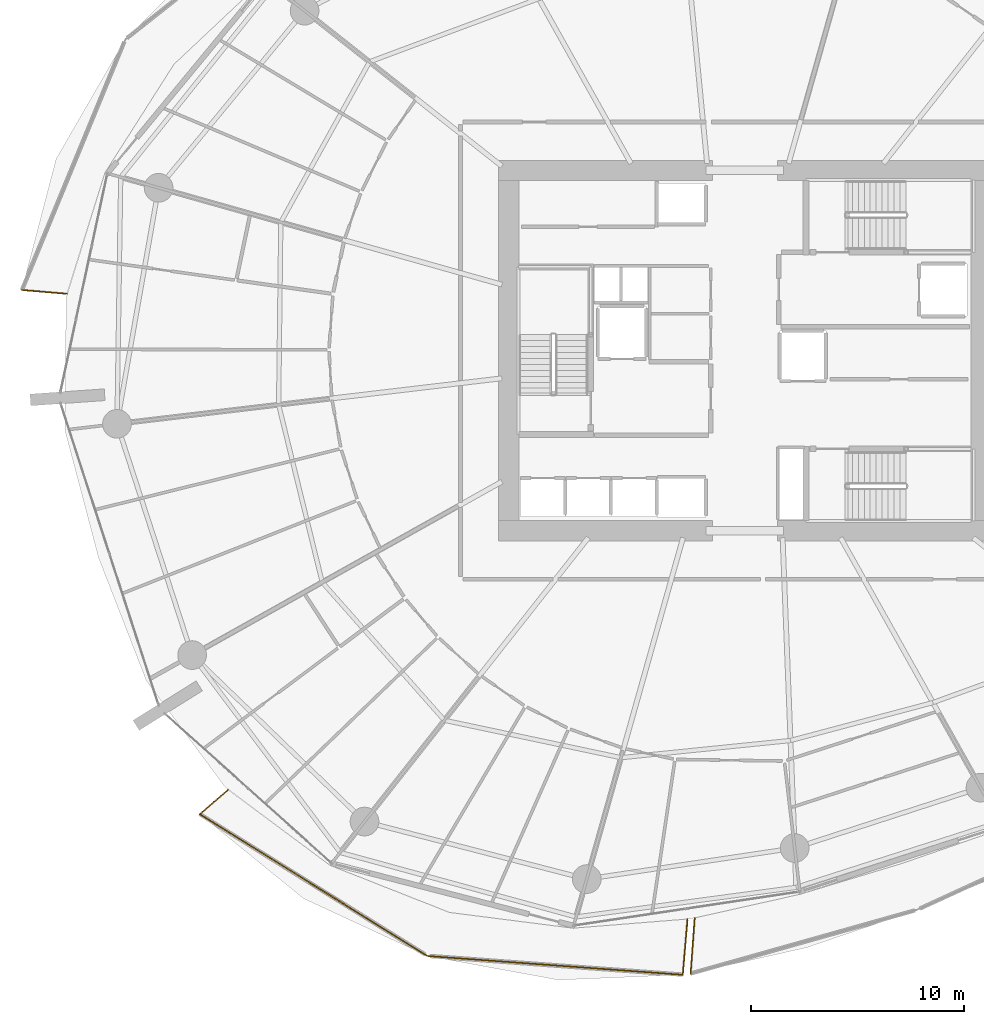
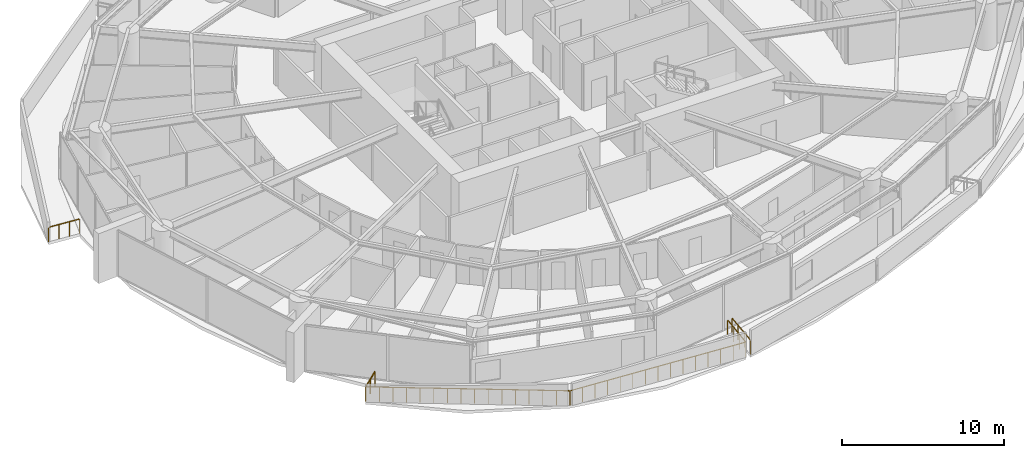
# One storey, part 25 of 31: 6 railings.
"""IFC4 building model written with IfcOpenShell, lengths in metres."""

from ifc_helpers import new_model, si_unit, direction, frame, origin, origin_2d, place, context, subcontext, project, spatial, rectangle, extrude, material, type_object, element, save


model = new_model("IFC4")

# Units and contexts
model_context = context("Model", 3, precision=1e-05, world=origin(), true_north=direction((0.0, 1.0)))
body_context = subcontext(model_context, "Body", "Model", "MODEL_VIEW")
ifc_project = project(units=[si_unit("LENGTHUNIT", "METRE"), si_unit("AREAUNIT", "SQUARE_METRE"), si_unit("VOLUMEUNIT", "CUBIC_METRE"), si_unit("PLANEANGLEUNIT", "RADIAN"), si_unit("MASSUNIT", "GRAM", prefix="KILO")], contexts=[model_context])

# Site, building, storey
site_placement = place(None, origin())
site = spatial("IfcSite", under=ifc_project, at=site_placement, CompositionType="ELEMENT")
building_placement = place(site_placement, origin())
building = spatial("IfcBuilding", under=site, at=building_placement, Name="Kazma Halo Residences", CompositionType="ELEMENT")
storey_placement = place(building_placement, frame((0.0, 0.0, 48.89990234375)))
storey = spatial("IfcBuildingStorey", under=building, at=storey_placement, Name="L11", CompositionType="ELEMENT", Elevation=48.89990234375)

# Railings
ifc_material = material(Name="Aluminium AW-6063 T6 Brushed Cap Rail", Category="aluminium")
railing_type = type_object("IfcRailingType", Name="RLG-BAL-CAP-1120", PredefinedType="BALUSTRADE", material=ifc_material)
railing_1_placement = place(storey_placement, frame((14.425537109375, 44.848876953125, 0.0)))
element("IfcRailing", 1, at=railing_1_placement, inside=storey, type_object=railing_type, Name="L11 NW wave balcony guard 4", PredefinedType="BALUSTRADE", context=body_context, shape_type="SweptSolid", body=[
    extrude(rectangle(XDim=0.050048828125, YDim=0.050048828125, at=origin_2d()), frame((0.04248046875, -0.003662109375, 1.09521484375), z_axis=(0.99642062311, -0.084533672819, 0.0), x_axis=(0.084533672819, 0.99642062311, 0.0)), (0.0, 0.0, 1.0), 2.04638671875),
    extrude(rectangle(XDim=0.0400390625, YDim=0.0400390625, at=origin_2d()), origin(), (0.0, 0.0, 1.0), 1.05810546875),
    extrude(rectangle(XDim=0.0400390625, YDim=0.0400390625, at=origin_2d()), frame((0.7080078125, -0.06005859375, 0.0)), (0.0, 0.0, 1.0), 1.05810546875),
    extrude(rectangle(XDim=0.0400390625, YDim=0.0400390625, at=origin_2d()), frame((1.415771484375, -0.1201171875, 0.0)), (0.0, 0.0, 1.0), 1.05810546875),
    extrude(rectangle(XDim=0.0400390625, YDim=0.0400390625, at=origin_2d()), frame((2.123779296875, -0.18017578125, 0.0)), (0.0, 0.0, 1.0), 1.05810546875),
])
railing_2_placement = place(storey_placement, frame((24.124267578125, 21.354736328125, 0.0)))
element("IfcRailing", 2, at=railing_2_placement, inside=storey, type_object=railing_type, Name="L11 SW wave balcony guard 1", PredefinedType="BALUSTRADE", context=body_context, shape_type="SweptSolid", body=[
    extrude(rectangle(XDim=0.050048828125, YDim=0.050048828125, at=origin_2d()), frame((-0.0322265625, -0.02783203125, 1.09521484375), z_axis=(-0.756352047657, -0.654164795755, 0.0), x_axis=(0.654164795755, -0.756352047657, 0.0)), (0.0, 0.0, 1.0), 1.67578125),
    extrude(rectangle(XDim=0.0400390625, YDim=0.0400390625, at=origin_2d()), origin(), (0.0, 0.0, 1.0), 1.05810546875),
    extrude(rectangle(XDim=0.0400390625, YDim=0.0400390625, at=origin_2d()), frame((-0.666015625, -0.575927734375, 0.0)), (0.0, 0.0, 1.0), 1.05810546875),
    extrude(rectangle(XDim=0.0400390625, YDim=0.0400390625, at=origin_2d()), frame((-1.331787109375, -1.15185546875, 0.0)), (0.0, 0.0, 1.0), 1.05810546875),
])
railing_3_placement = place(storey_placement, frame((22.79248046875, 20.202880859375, 0.0)))
element("IfcRailing", 3, at=railing_3_placement, inside=storey, type_object=railing_type, Name="L11 SW wave balcony guard 2", PredefinedType="BALUSTRADE", context=body_context, shape_type="SweptSolid", body=[
    extrude(rectangle(XDim=0.050048828125, YDim=0.050048828125, at=origin_2d()), frame((0.0361328125, -0.0224609375, 1.09521484375), z_axis=(0.848702312015, -0.528870859077, 0.0), x_axis=(0.528870859077, 0.848702312015, 0.0)), (0.0, 0.0, 1.0), 12.526123046875),
    extrude(rectangle(XDim=0.0400390625, YDim=0.0400390625, at=origin_2d()), origin(), (0.0, 0.0, 1.0), 1.05810546875),
    extrude(rectangle(XDim=0.0400390625, YDim=0.0400390625, at=origin_2d()), frame((0.713623046875, -0.444580078125, 0.0)), (0.0, 0.0, 1.0), 1.05810546875),
    extrude(rectangle(XDim=0.0400390625, YDim=0.0400390625, at=origin_2d()), frame((1.427001953125, -0.889404296875, 0.0)), (0.0, 0.0, 1.0), 1.05810546875),
    extrude(rectangle(XDim=0.0400390625, YDim=0.0400390625, at=origin_2d()), frame((2.140625, -1.333984375, 0.0)), (0.0, 0.0, 1.0), 1.05810546875),
    extrude(rectangle(XDim=0.0400390625, YDim=0.0400390625, at=origin_2d()), frame((2.854248046875, -1.778564453125, 0.0)), (0.0, 0.0, 1.0), 1.05810546875),
    extrude(rectangle(XDim=0.0400390625, YDim=0.0400390625, at=origin_2d()), frame((3.567626953125, -2.22314453125, 0.0)), (0.0, 0.0, 1.0), 1.05810546875),
    extrude(rectangle(XDim=0.0400390625, YDim=0.0400390625, at=origin_2d()), frame((4.28125, -2.66796875, 0.0)), (0.0, 0.0, 1.0), 1.05810546875),
    extrude(rectangle(XDim=0.0400390625, YDim=0.0400390625, at=origin_2d()), frame((4.994873046875, -3.112548828125, 0.0)), (0.0, 0.0, 1.0), 1.05810546875),
    extrude(rectangle(XDim=0.0400390625, YDim=0.0400390625, at=origin_2d()), frame((5.708251953125, -3.55712890625, 0.0)), (0.0, 0.0, 1.0), 1.05810546875),
    extrude(rectangle(XDim=0.0400390625, YDim=0.0400390625, at=origin_2d()), frame((6.421875, -4.001708984375, 0.0)), (0.0, 0.0, 1.0), 1.05810546875),
    extrude(rectangle(XDim=0.0400390625, YDim=0.0400390625, at=origin_2d()), frame((7.135498046875, -4.446533203125, 0.0)), (0.0, 0.0, 1.0), 1.05810546875),
    extrude(rectangle(XDim=0.0400390625, YDim=0.0400390625, at=origin_2d()), frame((7.848876953125, -4.89111328125, 0.0)), (0.0, 0.0, 1.0), 1.05810546875),
    extrude(rectangle(XDim=0.0400390625, YDim=0.0400390625, at=origin_2d()), frame((8.5625, -5.335693359375, 0.0)), (0.0, 0.0, 1.0), 1.05810546875),
    extrude(rectangle(XDim=0.0400390625, YDim=0.0400390625, at=origin_2d()), frame((9.276123046875, -5.7802734375, 0.0)), (0.0, 0.0, 1.0), 1.05810546875),
    extrude(rectangle(XDim=0.0400390625, YDim=0.0400390625, at=origin_2d()), frame((9.989501953125, -6.22509765625, 0.0)), (0.0, 0.0, 1.0), 1.05810546875),
    extrude(rectangle(XDim=0.0400390625, YDim=0.0400390625, at=origin_2d()), frame((10.703125, -6.669677734375, 0.0)), (0.0, 0.0, 1.0), 1.05810546875),
])
railing_4_placement = place(storey_placement, frame((33.49560546875, 13.533203125, 0.0)))
element("IfcRailing", 4, at=railing_4_placement, inside=storey, type_object=railing_type, Name="L11 SW wave balcony guard 3", PredefinedType="BALUSTRADE", context=body_context, shape_type="SweptSolid", body=[
    extrude(rectangle(XDim=0.050048828125, YDim=0.050048828125, at=origin_2d()), frame((0.04248046875, -0.003173828125, 1.09521484375), z_axis=(0.997303634995, -0.073385690876, 0.0), x_axis=(0.073385690876, 0.997303634995, 0.0)), (0.0, 0.0, 1.0), 11.96142578125),
    extrude(rectangle(XDim=0.0400390625, YDim=0.0400390625, at=origin_2d()), origin(), (0.0, 0.0, 1.0), 1.05810546875),
    extrude(rectangle(XDim=0.0400390625, YDim=0.0400390625, at=origin_2d()), frame((0.858154296875, -0.063232421875, 0.0)), (0.0, 0.0, 1.0), 1.05810546875),
    extrude(rectangle(XDim=0.0400390625, YDim=0.0400390625, at=origin_2d()), frame((1.71630859375, -0.126220703125, 0.0)), (0.0, 0.0, 1.0), 1.05810546875),
    extrude(rectangle(XDim=0.0400390625, YDim=0.0400390625, at=origin_2d()), frame((2.574462890625, -0.189453125, 0.0)), (0.0, 0.0, 1.0), 1.05810546875),
    extrude(rectangle(XDim=0.0400390625, YDim=0.0400390625, at=origin_2d()), frame((3.4326171875, -0.252685546875, 0.0)), (0.0, 0.0, 1.0), 1.05810546875),
    extrude(rectangle(XDim=0.0400390625, YDim=0.0400390625, at=origin_2d()), frame((4.290771484375, -0.315673828125, 0.0)), (0.0, 0.0, 1.0), 1.05810546875),
    extrude(rectangle(XDim=0.0400390625, YDim=0.0400390625, at=origin_2d()), frame((5.14892578125, -0.37890625, 0.0)), (0.0, 0.0, 1.0), 1.05810546875),
    extrude(rectangle(XDim=0.0400390625, YDim=0.0400390625, at=origin_2d()), frame((6.0068359375, -0.44189453125, 0.0)), (0.0, 0.0, 1.0), 1.05810546875),
    extrude(rectangle(XDim=0.0400390625, YDim=0.0400390625, at=origin_2d()), frame((6.864990234375, -0.505126953125, 0.0)), (0.0, 0.0, 1.0), 1.05810546875),
    extrude(rectangle(XDim=0.0400390625, YDim=0.0400390625, at=origin_2d()), frame((7.72314453125, -0.568359375, 0.0)), (0.0, 0.0, 1.0), 1.05810546875),
    extrude(rectangle(XDim=0.0400390625, YDim=0.0400390625, at=origin_2d()), frame((8.581298828125, -0.63134765625, 0.0)), (0.0, 0.0, 1.0), 1.05810546875),
    extrude(rectangle(XDim=0.0400390625, YDim=0.0400390625, at=origin_2d()), frame((9.439453125, -0.694580078125, 0.0)), (0.0, 0.0, 1.0), 1.05810546875),
    extrude(rectangle(XDim=0.0400390625, YDim=0.0400390625, at=origin_2d()), frame((10.297607421875, -0.7578125, 0.0)), (0.0, 0.0, 1.0), 1.05810546875),
    extrude(rectangle(XDim=0.0400390625, YDim=0.0400390625, at=origin_2d()), frame((11.15576171875, -0.82080078125, 0.0)), (0.0, 0.0, 1.0), 1.05810546875),
    extrude(rectangle(XDim=0.0400390625, YDim=0.0400390625, at=origin_2d()), frame((12.013916015625, -0.884033203125, 0.0)), (0.0, 0.0, 1.0), 1.05810546875),
])
railing_5_placement = place(storey_placement, frame((45.509521484375, 12.649169921875, 0.0)))
element("IfcRailing", 5, at=railing_5_placement, inside=storey, type_object=railing_type, Name="L11 SW wave balcony guard 4", PredefinedType="BALUSTRADE", context=body_context, shape_type="SweptSolid", body=[
    extrude(rectangle(XDim=0.050048828125, YDim=0.050048828125, at=origin_2d()), frame((0.003662109375, 0.04248046875, 1.09521484375), z_axis=(0.084550843929, 0.99641916621, 0.0), x_axis=(-0.99641916621, 0.084550843929, 0.0)), (0.0, 0.0, 1.0), 2.54541015625),
    extrude(rectangle(XDim=0.0400390625, YDim=0.0400390625, at=origin_2d()), origin(), (0.0, 0.0, 1.0), 1.05810546875),
    extrude(rectangle(XDim=0.0400390625, YDim=0.0400390625, at=origin_2d()), frame((0.07421875, 0.873779296875, 0.0)), (0.0, 0.0, 1.0), 1.05810546875),
    extrude(rectangle(XDim=0.0400390625, YDim=0.0400390625, at=origin_2d()), frame((0.148193359375, 1.747314453125, 0.0)), (0.0, 0.0, 1.0), 1.05810546875),
    extrude(rectangle(XDim=0.0400390625, YDim=0.0400390625, at=origin_2d()), frame((0.222412109375, 2.62109375, 0.0)), (0.0, 0.0, 1.0), 1.05810546875),
])
railing_6_placement = place(storey_placement, frame((46.064208984375, 15.320068359375, 0.0)))
element("IfcRailing", 6, at=railing_6_placement, inside=storey, type_object=railing_type, Name="L11 SSE wave balcony guard 1", PredefinedType="BALUSTRADE", context=body_context, shape_type="SweptSolid", body=[
    extrude(rectangle(XDim=0.050048828125, YDim=0.050048828125, at=origin_2d()), frame((-0.003173828125, -0.04248046875, 1.09521484375), z_axis=(-0.072343971591, -0.997379742011, 0.0), x_axis=(0.997379742011, -0.072343971591, 0.0)), (0.0, 0.0, 1.0), 2.54052734375),
    extrude(rectangle(XDim=0.0400390625, YDim=0.0400390625, at=origin_2d()), origin(), (0.0, 0.0, 1.0), 1.05810546875),
    extrude(rectangle(XDim=0.0400390625, YDim=0.0400390625, at=origin_2d()), frame((-0.063232421875, -0.872802734375, 0.0)), (0.0, 0.0, 1.0), 1.05810546875),
    extrude(rectangle(XDim=0.0400390625, YDim=0.0400390625, at=origin_2d()), frame((-0.126708984375, -1.745849609375, 0.0)), (0.0, 0.0, 1.0), 1.05810546875),
    extrude(rectangle(XDim=0.0400390625, YDim=0.0400390625, at=origin_2d()), frame((-0.18994140625, -2.61865234375, 0.0)), (0.0, 0.0, 1.0), 1.05810546875),
])

save(model, "model.ifc")
